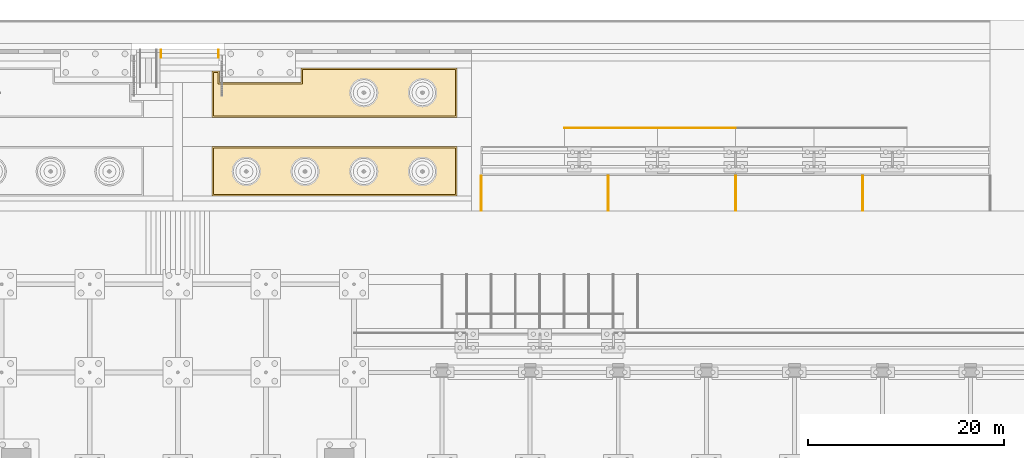
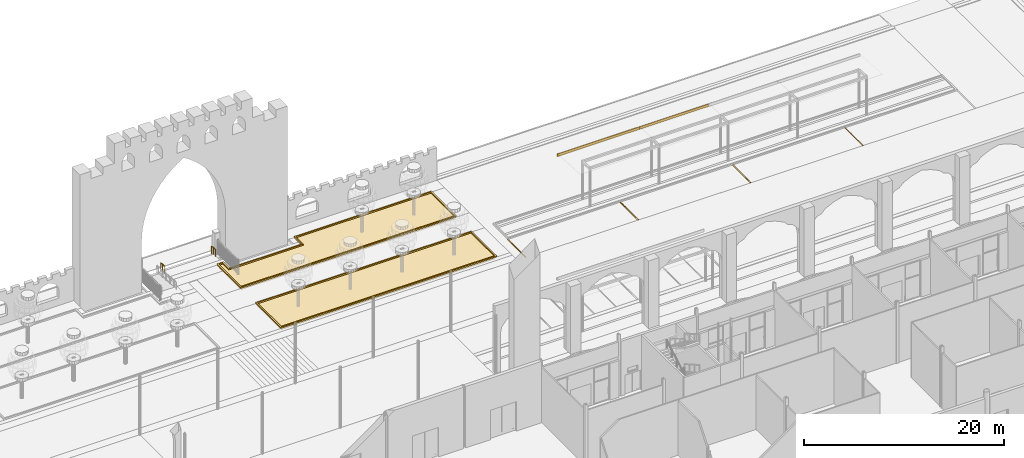
# One storey, part 223 of 250: 10 coverings, 2 railings.
"""IFC4 building model written with IfcOpenShell, lengths in metres."""

from ifc_helpers import new_model, si_unit, direction, frame, origin, origin_2d, place, context, subcontext, project, spatial, polyline, rectangle, circle, outline, extrude, material, layer, layer_set, type_object, element, save


model = new_model("IFC4")

# Units and contexts
model_context = context("Model", 3, precision=1e-05, world=origin(), true_north=direction((0.0, 1.0)))
body_context = subcontext(model_context, "Body", "Model", "MODEL_VIEW")
ifc_project = project(units=[si_unit("LENGTHUNIT", "METRE"), si_unit("AREAUNIT", "SQUARE_METRE"), si_unit("VOLUMEUNIT", "CUBIC_METRE"), si_unit("PLANEANGLEUNIT", "RADIAN"), si_unit("MASSUNIT", "GRAM", prefix="KILO")], contexts=[model_context])

# Site, building, storey
site_placement = place(None, origin())
site = spatial("IfcSite", under=ifc_project, at=site_placement, CompositionType="ELEMENT")
building_placement = place(site_placement, origin())
building = spatial("IfcBuilding", under=site, at=building_placement, Name="Baradari Gate Terminus", CompositionType="ELEMENT")
storey_placement = place(building_placement, origin())
storey = spatial("IfcBuildingStorey", under=building, at=storey_placement, Name="L00", CompositionType="ELEMENT", Elevation=0.0)

# Coverings
ifc_material_1 = material(Name="Road marking paint, white")
ifc_layer_1 = layer(ifc_material_1, 0.0048828125)
ifc_layer_set_1 = layer_set([ifc_layer_1], Name="Road marking paint, white")
covering_type_1 = type_object("IfcCoveringType", Name="Bay line RM-1 5", PredefinedType="USERDEFINED", material=ifc_layer_set_1)
covering_1_placement = place(storey_placement, origin())
element("IfcCovering", 1, at=covering_1_placement, inside=storey, type_object=covering_type_1, Name="Bay line BB 1", ObjectType="ROAD MARKING", PredefinedType="USERDEFINED", context=body_context, shape_type="SweptSolid", body=[
    extrude(outline(polyline([(183.949951171875, 133.5), (184.050048828125, 133.5), (184.050048828125, 137.10009765625), (183.949951171875, 137.10009765625), (183.949951171875, 133.5)])), origin(), (0.0, 0.0, 1.0), 0.0048828125),
])
covering_2_placement = place(storey_placement, origin())
element("IfcCovering", 2, at=covering_2_placement, inside=storey, type_object=covering_type_1, Name="Bay line BB 2", ObjectType="ROAD MARKING", PredefinedType="USERDEFINED", context=body_context, shape_type="SweptSolid", body=[
    extrude(outline(polyline([(196.949951171875, 133.5), (197.050048828125, 133.5), (197.050048828125, 137.10009765625), (196.949951171875, 137.10009765625), (196.949951171875, 133.5)])), origin(), (0.0, 0.0, 1.0), 0.0048828125),
])
covering_3_placement = place(storey_placement, origin())
element("IfcCovering", 3, at=covering_3_placement, inside=storey, type_object=covering_type_1, Name="Bay line BB 3", ObjectType="ROAD MARKING", PredefinedType="USERDEFINED", context=body_context, shape_type="SweptSolid", body=[
    extrude(outline(polyline([(209.949951171875, 133.5), (210.050048828125, 133.5), (210.050048828125, 137.10009765625), (209.949951171875, 137.10009765625), (209.949951171875, 133.5)])), origin(), (0.0, 0.0, 1.0), 0.0048828125),
])
covering_4_placement = place(storey_placement, origin())
element("IfcCovering", 4, at=covering_4_placement, inside=storey, type_object=covering_type_1, Name="Bay line BB 4", ObjectType="ROAD MARKING", PredefinedType="USERDEFINED", context=body_context, shape_type="SweptSolid", body=[
    extrude(outline(polyline([(222.949951171875, 133.5), (223.050048828125, 133.5), (223.050048828125, 137.10009765625), (222.949951171875, 137.10009765625), (222.949951171875, 133.5)])), origin(), (0.0, 0.0, 1.0), 0.0048828125),
])
ifc_material_2 = material(Name="Concrete kerb", Category="concrete")
ifc_layer_2 = layer(ifc_material_2, 0.14990234375)
ifc_layer_set_2 = layer_set([ifc_layer_2], Name="Concrete kerb")
covering_type_2 = type_object("IfcCoveringType", Name="Concrete kerb CK-1 150", PredefinedType="USERDEFINED", material=ifc_layer_set_2)
covering_5_placement = place(storey_placement, origin())
element("IfcCovering", 5, at=covering_5_placement, inside=storey, type_object=covering_type_2, Name="Kerb of charbagh bed 3", ObjectType="KERB", PredefinedType="USERDEFINED", context=body_context, shape_type="SweptSolid", body=[
    extrude(outline(polyline([(156.5, 140.050048828125), (156.5, 135.0), (181.5, 135.0), (181.5, 140.050048828125), (156.5, 140.050048828125)]), holes=[polyline([(181.35009765625, 135.14990234375), (156.64990234375, 135.14990234375), (156.64990234375, 139.89990234375), (181.35009765625, 139.89990234375), (181.35009765625, 135.14990234375)])]), origin(), (0.0, 0.0, 1.0), 0.14990234375),
])
covering_6_placement = place(storey_placement, origin())
element("IfcCovering", 6, at=covering_6_placement, inside=storey, type_object=covering_type_2, Name="Kerb of charbagh bed 4", ObjectType="KERB", PredefinedType="USERDEFINED", context=body_context, shape_type="SweptSolid", body=[
    extrude(outline(polyline([(181.5, 143.050048828125), (181.5, 148.10009765625), (165.60009765625, 148.10009765625), (165.60009765625, 146.60009765625), (157.25, 146.60009765625), (157.25, 147.800048828125), (156.5, 147.800048828125), (156.5, 143.050048828125), (181.5, 143.050048828125)]), holes=[polyline([(165.75, 147.949951171875), (181.35009765625, 147.949951171875), (181.35009765625, 143.199951171875), (156.64990234375, 143.199951171875), (156.64990234375, 147.64990234375), (157.10009765625, 147.64990234375), (157.10009765625, 146.449951171875), (165.75, 146.449951171875), (165.75, 147.949951171875)])]), origin(), (0.0, 0.0, 1.0), 0.14990234375),
])

# Railings
ifc_material_3 = material(Name="Stainless steel 1.4301", Category="steel")
railing_type = type_object("IfcRailingType", Name="Handrail HR-1 900", PredefinedType="HANDRAIL", material=ifc_material_3)
for number, where, name in (
    (7, (151.260009765625, 149.949951171875, -0.11376953125), "Handrail of Garden gate steps 1"),
    (8, (157.139892578125, 149.949951171875, -0.11376953125), "Handrail of Garden gate steps 2"),
):
    element("IfcRailing", number, at=place(storey_placement, frame(where)), inside=storey, type_object=railing_type, Name=name, PredefinedType="HANDRAIL", context=body_context, shape_type="SweptSolid", body=[
        extrude(circle(Radius=0.02392578125, at=origin_2d()), frame((0.0, 0.0, 0.8759765625), z_axis=(0.0, -0.950980408871, 0.309251130868), x_axis=(1.0, 0.0, 0.0)), (0.0, 0.0, 1.0), 0.367919921875),
        extrude(circle(Radius=0.02392578125, at=origin_2d()), frame((0.0, -0.349853515625, 0.98974609375), z_axis=(0.0, -1.0, 0.0), x_axis=(1.0, 0.0, 0.0)), (0.0, 0.0, 1.0), 0.4501953125),
        extrude(circle(Radius=0.02099609375, at=origin_2d()), origin(), (0.0, 0.0, 1.0), 0.851806640625),
        extrude(circle(Radius=0.02099609375, at=origin_2d()), frame((0.0, -0.349853515625, 0.11376953125)), (0.0, 0.0, 1.0), 0.851806640625),
        extrude(circle(Radius=0.02099609375, at=origin_2d()), frame((0.0, -0.800048828125, 0.11376953125)), (0.0, 0.0, 1.0), 0.851806640625),
    ])

# Coverings
ifc_material_4 = material(Name="Planted lawn")
ifc_layer_3 = layer(ifc_material_4, 0.300048828125)
ifc_layer_set_3 = layer_set([ifc_layer_3], Name="Planted lawn")
covering_type_3 = type_object("IfcCoveringType", Name="Planted lawn bed LW-1 300", PredefinedType="USERDEFINED", material=ifc_layer_set_3)
covering_7_placement = place(storey_placement, frame((0.0, 0.0, -0.300048828125)))
element("IfcCovering", 9, at=covering_7_placement, inside=storey, type_object=covering_type_3, Name="Charbagh lawn bed 3", ObjectType="LAWN", PredefinedType="USERDEFINED", context=body_context, shape_type="SweptSolid", body=[
    extrude(outline(polyline([(156.64990234375, 135.14990234375), (181.35009765625, 135.14990234375), (181.35009765625, 139.89990234375), (156.64990234375, 139.89990234375), (156.64990234375, 135.14990234375)])), origin(), (0.0, 0.0, 1.0), 0.300048828125),
])
covering_8_placement = place(storey_placement, frame((0.0, 0.0, -0.300048828125)))
element("IfcCovering", 10, at=covering_8_placement, inside=storey, type_object=covering_type_3, Name="Charbagh lawn bed 4", ObjectType="LAWN", PredefinedType="USERDEFINED", context=body_context, shape_type="SweptSolid", body=[
    extrude(outline(polyline([(181.35009765625, 147.949951171875), (165.75, 147.949951171875), (165.75, 146.449951171875), (157.10009765625, 146.449951171875), (157.10009765625, 147.64990234375), (156.64990234375, 147.64990234375), (156.64990234375, 143.199951171875), (181.35009765625, 143.199951171875), (181.35009765625, 147.949951171875)])), origin(), (0.0, 0.0, 1.0), 0.300048828125),
])
ifc_material_5 = material(Name="Weathering steel plate", Category="steel")
ifc_layer_4 = layer(ifc_material_5, 0.06005859375)
ifc_layer_set_4 = layer_set([ifc_layer_4], Name="Weathering steel plate")
covering_type_4 = type_object("IfcCoveringType", Name="Shelter fascia plate SH5 60", PredefinedType="CLADDING", material=ifc_layer_set_4)
covering_9_placement = place(storey_placement, frame((197.25, 141.969970703125, 4.22021484375), z_axis=(0.0, 0.0, 1.0), x_axis=(1.0, 0.0, 0.0)))
element("IfcCovering", 11, at=covering_9_placement, inside=storey, type_object=covering_type_4, Name="Bus shelter fascia 1", PredefinedType="CLADDING", context=body_context, shape_type="SweptSolid", body=[
    extrude(rectangle(XDim=9.5, YDim=0.06005859375, at=origin_2d()), origin(), (0.0, 0.0, 1.0), 0.300048828125),
])
covering_10_placement = place(storey_placement, frame((206.0, 141.969970703125, 4.22021484375), z_axis=(0.0, 0.0, 1.0), x_axis=(1.0, 0.0, 0.0)))
element("IfcCovering", 12, at=covering_10_placement, inside=storey, type_object=covering_type_4, Name="Bus shelter fascia 2", PredefinedType="CLADDING", context=body_context, shape_type="SweptSolid", body=[
    extrude(rectangle(XDim=8.0, YDim=0.06005859375, at=origin_2d()), origin(), (0.0, 0.0, 1.0), 0.300048828125),
])

save(model, "model.ifc")
